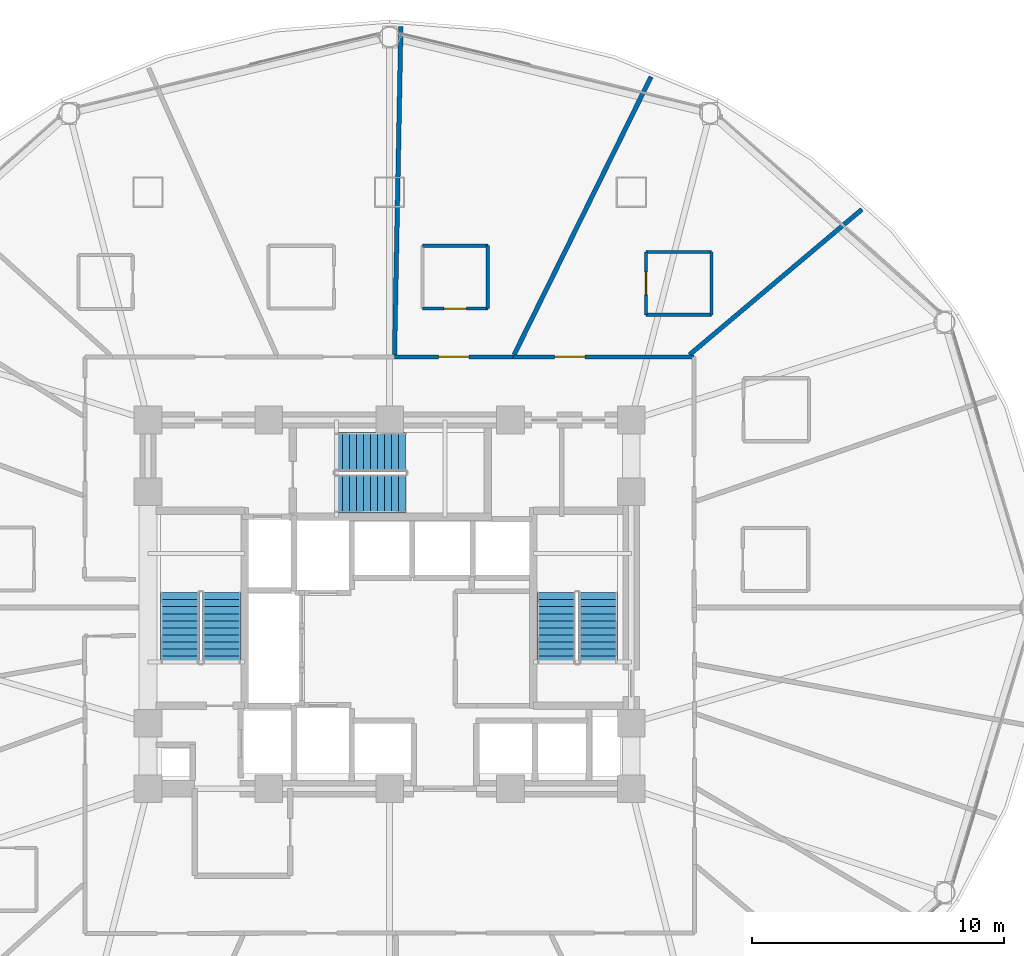
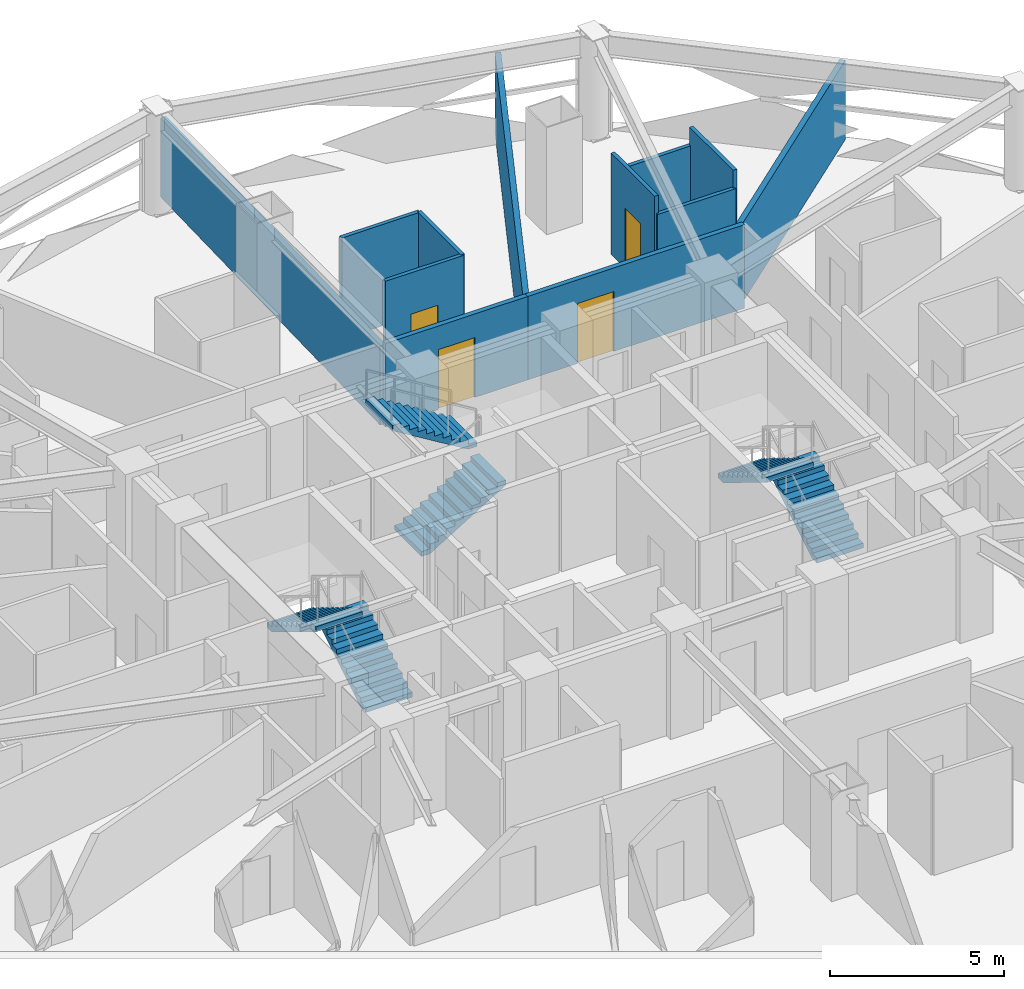
# One storey, part 27 of 31: 12 walls, 6 stair flights, 4 doors, 4 openings, 3 elements without a shape of their own.
"""IFC4 building model written with IfcOpenShell, lengths in metres."""

from ifc_helpers import new_model, si_unit, direction, frame, frame_2d, origin, place, context, subcontext, project, spatial, polyline, rectangle, outline, extrude, material, layer, layer_set, type_object, element, fill, aggregate, save


model = new_model("IFC4")

# Units and contexts
model_context = context("Model", 3, precision=1e-05, world=origin(), true_north=direction((0.0, 1.0)))
body_context = subcontext(model_context, "Body", "Model", "MODEL_VIEW")
ifc_project = project(units=[si_unit("LENGTHUNIT", "METRE"), si_unit("AREAUNIT", "SQUARE_METRE"), si_unit("VOLUMEUNIT", "CUBIC_METRE"), si_unit("PLANEANGLEUNIT", "RADIAN"), si_unit("MASSUNIT", "GRAM", prefix="KILO")], contexts=[model_context])

# Site, building, storey
site_placement = place(None, origin())
site = spatial("IfcSite", under=ifc_project, at=site_placement, CompositionType="ELEMENT")
building_placement = place(site_placement, origin())
building = spatial("IfcBuilding", under=site, at=building_placement, Name="Vantalir Tower", CompositionType="ELEMENT")
storey_placement = place(building_placement, frame((0.0, 0.0, 30.75)))
storey = spatial("IfcBuildingStorey", under=building, at=storey_placement, Name="L06", CompositionType="ELEMENT", Elevation=30.75)

# Walls
ifc_material_1 = material(Name="Moisture-resistant en-suite partition", Category="gypsum")
ifc_layer_1 = layer(ifc_material_1, 0.125)
ifc_layer_set_1 = layer_set([ifc_layer_1], Name="Moisture-resistant en-suite partition")
wall_type_1 = type_object("IfcWallType", Name="WL-BATH-125", PredefinedType="PARTITIONING", material=ifc_layer_set_1)
for number, where, z_axis, x_axis, name in (
    (1, (41.680908203125, 36.62890625, 0.0), (0.0, 0.0, 1.0), (1.0, 0.0, 0.0), "L06 En-suite 03 South Wall"),
    (2, (41.680908203125, 39.12890625, 0.0), (0.0, 0.0, 1.0), (1.0, 0.0, 0.0), "L06 En-suite 03 North Wall"),
):
    element("IfcWall", number, at=place(storey_placement, frame(where, z_axis=z_axis, x_axis=x_axis)), inside=storey, type_object=wall_type_1, Name=name, PredefinedType="PARTITIONING", context=body_context, shape_type="SweptSolid", body=[
        extrude(rectangle(XDim=2.60009765625, YDim=0.125, at=frame_2d((1.300048828125, 0.0))), origin(), (0.0, 0.0, 1.0), 2.927978515625),
    ])

# Wall, opening, door
wall_1_placement = place(storey_placement, frame((41.680908203125, 36.62890625, 0.0), z_axis=(0.0, 0.0, 1.0), x_axis=(0.0, 1.0, 0.0)))
wall_1 = element("IfcWall", 3, at=wall_1_placement, inside=storey, type_object=wall_type_1, Name="L06 En-suite 03 West Wall", PredefinedType="PARTITIONING", context=body_context, shape_type="SweptSolid", body=[
    extrude(rectangle(XDim=2.5, YDim=0.125, at=frame_2d((1.25, 0.0))), origin(), (0.0, 0.0, 1.0), 3.550048828125),
])
opening_1_placement = place(wall_1_placement, frame((0.800048828125, 0.0, 0.0)))
opening_1 = element("IfcOpeningElement", 4, at=opening_1_placement, cuts=wall_1, Name="Opening D-WC", PredefinedType="OPENING", context=body_context, shape_type="SweptSolid", body=[
    extrude(rectangle(XDim=0.89990234375, YDim=2.10009765625, at=frame_2d((0.449951171875, 1.050048828125))), frame((0.0, 0.072509765625, 0.0), z_axis=(0.0, -1.0, 0.0), x_axis=(1.0, 0.0, 0.0)), (0.0, 0.0, 1.0), 0.14501953125),
])
ifc_material_2 = material(Name="Moisture-resistant hardwood door", Category="wood")
door_type_1 = type_object("IfcDoorType", Name="DR-ENSUITE-900", OperationType="NOTDEFINED", PredefinedType="DOOR", material=ifc_material_2)
door_1_placement = place(opening_1_placement, frame((0.89990234375, 0.0, 0.0), z_axis=(0.0, 0.0, 1.0), x_axis=(-1.0, 0.0, 0.0)))
door_1 = element("IfcDoor", 5, at=door_1_placement, inside=storey, type_object=door_type_1, Name="L06 En-suite 03 Door", OperationType="SINGLE_SWING_RIGHT", OverallHeight=2.10009765625, OverallWidth=0.89990234375, PredefinedType="DOOR", context=body_context, shape_type="SweptSolid", body=[
    extrude(rectangle(XDim=0.89990234375, YDim=2.10009765625, at=frame_2d((0.449951171875, 1.050048828125))), frame((0.0, 0.02490234375, 0.0), z_axis=(0.0, -1.0, 0.0), x_axis=(1.0, 0.0, 0.0)), (0.0, 0.0, 1.0), 0.050048828125),
])
fill(opening_1, door_1)

# Wall
wall_2_placement = place(storey_placement, frame((44.281005859375, 36.62890625, 0.0), z_axis=(0.0, 0.0, 1.0), x_axis=(0.0, 1.0, 0.0)))
element("IfcWall", 6, at=wall_2_placement, inside=storey, type_object=wall_type_1, Name="L06 En-suite 03 East Wall", PredefinedType="PARTITIONING", context=body_context, shape_type="SweptSolid", body=[
    extrude(rectangle(XDim=2.5, YDim=0.125, at=frame_2d((1.25, 0.0))), origin(), (0.0, 0.0, 1.0), 3.550048828125),
])

# Wall, opening, door
wall_3_placement = place(storey_placement, frame((32.800048828125, 36.8720703125, 0.0), z_axis=(0.0, 0.0, 1.0), x_axis=(1.0, 0.0, 0.0)))
wall_3 = element("IfcWall", 7, at=wall_3_placement, inside=storey, type_object=wall_type_1, Name="L06 En-suite 04 South Wall", PredefinedType="PARTITIONING", context=body_context, shape_type="SweptSolid", body=[
    extrude(rectangle(XDim=2.599853515625, YDim=0.125, at=frame_2d((1.2998046875, 0.0))), origin(), (0.0, 0.0, 1.0), 3.550048828125),
])
opening_2_placement = place(wall_3_placement, frame((0.85009765625, 0.0, 0.0)))
opening_2 = element("IfcOpeningElement", 8, at=opening_2_placement, cuts=wall_3, Name="Opening D-WC", PredefinedType="OPENING", context=body_context, shape_type="SweptSolid", body=[
    extrude(rectangle(XDim=0.89990234375, YDim=2.10009765625, at=frame_2d((0.449951171875, 1.050048828125))), frame((0.0, 0.072509765625, 0.0), z_axis=(0.0, -1.0, 0.0), x_axis=(1.0, 0.0, 0.0)), (0.0, 0.0, 1.0), 0.14501953125),
])
door_2_placement = place(opening_2_placement, origin())
door_2 = element("IfcDoor", 9, at=door_2_placement, inside=storey, type_object=door_type_1, Name="L06 En-suite 04 Door", OperationType="SINGLE_SWING_LEFT", OverallHeight=2.10009765625, OverallWidth=0.89990234375, PredefinedType="DOOR", context=body_context, shape_type="SweptSolid", body=[
    extrude(rectangle(XDim=0.89990234375, YDim=2.10009765625, at=frame_2d((0.449951171875, 1.050048828125))), frame((0.0, 0.02490234375, 0.0), z_axis=(0.0, -1.0, 0.0), x_axis=(1.0, 0.0, 0.0)), (0.0, 0.0, 1.0), 0.050048828125),
])
fill(opening_2, door_2)

# Walls
wall_4_placement = place(storey_placement, frame((32.800048828125, 39.3720703125, 0.0), z_axis=(0.0, 0.0, 1.0), x_axis=(1.0, 0.0, 0.0)))
element("IfcWall", 10, at=wall_4_placement, inside=storey, type_object=wall_type_1, Name="L06 En-suite 04 North Wall", PredefinedType="PARTITIONING", context=body_context, shape_type="SweptSolid", body=[
    extrude(rectangle(XDim=2.599853515625, YDim=0.125, at=frame_2d((1.2998046875, 0.0))), origin(), (0.0, 0.0, 1.0), 3.550048828125),
])
wall_5_placement = place(storey_placement, frame((35.39990234375, 36.8720703125, 0.0), z_axis=(0.0, 0.0, 1.0), x_axis=(0.0, 1.0, 0.0)))
element("IfcWall", 11, at=wall_5_placement, inside=storey, type_object=wall_type_1, Name="L06 En-suite 04 East Wall", PredefinedType="PARTITIONING", context=body_context, shape_type="SweptSolid", body=[
    extrude(rectangle(XDim=2.5, YDim=0.125, at=frame_2d((1.25, 0.0))), origin(), (0.0, 0.0, 1.0), 3.550048828125),
])

# Wall, opening, door
ifc_material_3 = material(Name="Fire-rated hotel corridor acoustic partition", Category="gypsum")
ifc_layer_2 = layer(ifc_material_3, 0.159912109375)
ifc_layer_set_2 = layer_set([ifc_layer_2], Name="Fire-rated hotel corridor acoustic partition")
wall_type_2 = type_object("IfcWallType", Name="WL-CORR-160", PredefinedType="PARTITIONING", material=ifc_layer_set_2)
wall_6_placement = place(storey_placement, frame((31.69189453125, 34.9599609375, 0.0), z_axis=(0.0, 0.0, 1.0), x_axis=(1.0, 0.0, 0.0)))
wall_6 = element("IfcWall", 12, at=wall_6_placement, inside=storey, type_object=wall_type_2, Name="L06 Corridor Partition 08", PredefinedType="PARTITIONING", context=body_context, shape_type="SweptSolid", body=[
    extrude(rectangle(XDim=4.714111328125, YDim=0.159912109375, at=frame_2d((2.35693359375, 0.0))), origin(), (0.0, 0.0, 1.0), 2.927978515625),
])
opening_3_placement = place(wall_6_placement, frame((1.757080078125, 0.0, 0.0)))
opening_3 = element("IfcOpeningElement", 13, at=opening_3_placement, cuts=wall_6, Name="Opening D-STE", PredefinedType="OPENING", context=body_context, shape_type="SweptSolid", body=[
    extrude(rectangle(XDim=1.199951171875, YDim=2.10009765625, at=frame_2d((0.60009765625, 1.050048828125))), frame((0.0, 0.08984375, 0.0), z_axis=(0.0, -1.0, 0.0), x_axis=(1.0, 0.0, 0.0)), (0.0, 0.0, 1.0), 0.179931640625),
])
ifc_material_4 = material(Name="Solid-core teak veneer suite entrance door", Category="wood")
door_type_2 = type_object("IfcDoorType", Name="DR-SUITE-ENTRY-1200", OperationType="NOTDEFINED", PredefinedType="DOOR", material=ifc_material_4)
door_3_placement = place(opening_3_placement, origin())
door_3 = element("IfcDoor", 14, at=door_3_placement, inside=storey, type_object=door_type_2, Name="L06 Executive Club Hotel Suite 04 Door", OperationType="SINGLE_SWING_RIGHT", OverallHeight=2.10009765625, OverallWidth=1.199951171875, PredefinedType="DOOR", context=body_context, shape_type="SweptSolid", body=[
    extrude(rectangle(XDim=1.199951171875, YDim=2.10009765625, at=frame_2d((0.60009765625, 1.050048828125))), frame((0.0, 0.02490234375, 0.0), z_axis=(0.0, -1.0, 0.0), x_axis=(1.0, 0.0, 0.0)), (0.0, 0.0, 1.0), 0.050048828125),
])
fill(opening_3, door_3)

wall_7_placement = place(storey_placement, frame((36.406005859375, 34.9599609375, 0.0), z_axis=(0.0, 0.0, 1.0), x_axis=(1.0, 0.0, 0.0)))
wall_7 = element("IfcWall", 15, at=wall_7_placement, inside=storey, type_object=wall_type_2, Name="L06 Corridor Partition 09", PredefinedType="PARTITIONING", context=body_context, shape_type="SweptSolid", body=[
    extrude(rectangle(XDim=7.18798828125, YDim=0.159912109375, at=frame_2d((3.593994140625, 0.0))), origin(), (0.0, 0.0, 1.0), 2.927978515625),
])
opening_4_placement = place(wall_7_placement, frame((1.652099609375, 0.0, 0.0)))
opening_4 = element("IfcOpeningElement", 16, at=opening_4_placement, cuts=wall_7, Name="Opening D-STE", PredefinedType="OPENING", context=body_context, shape_type="SweptSolid", body=[
    extrude(rectangle(XDim=1.199951171875, YDim=2.10009765625, at=frame_2d((0.60009765625, 1.050048828125))), frame((0.0, 0.08984375, 0.0), z_axis=(0.0, -1.0, 0.0), x_axis=(1.0, 0.0, 0.0)), (0.0, 0.0, 1.0), 0.179931640625),
])
door_4_placement = place(opening_4_placement, origin())
door_4 = element("IfcDoor", 17, at=door_4_placement, inside=storey, type_object=door_type_2, Name="L06 Corner Panorama Hotel Suite 03 Door", OperationType="SINGLE_SWING_LEFT", OverallHeight=2.10009765625, OverallWidth=1.199951171875, PredefinedType="DOOR", context=body_context, shape_type="SweptSolid", body=[
    extrude(rectangle(XDim=1.199951171875, YDim=2.10009765625, at=frame_2d((0.60009765625, 1.050048828125))), frame((0.0, 0.02490234375, 0.0), z_axis=(0.0, -1.0, 0.0), x_axis=(1.0, 0.0, 0.0)), (0.0, 0.0, 1.0), 0.050048828125),
])
fill(opening_4, door_4)

# Walls
ifc_material_5 = material(Name="Twin-stud acoustic fire-rated gypsum partition", Category="gypsum")
ifc_layer_3 = layer(ifc_material_5, 0.179931640625)
ifc_layer_set_3 = layer_set([ifc_layer_3], Name="Twin-stud acoustic fire-rated gypsum partition")
wall_type_3 = type_object("IfcWallType", Name="WL-GUEST-180", PredefinedType="PARTITIONING", material=ifc_layer_set_3)
wall_8_placement = place(storey_placement, frame((43.410888671875, 35.0400390625, 0.0), z_axis=(0.0, 0.0, 1.0), x_axis=(0.764587593567, 0.644519830388, 0.0)))
element("IfcWall", 18, at=wall_8_placement, inside=storey, type_object=wall_type_3, Name="L06 Radial Suite Partition 03", PredefinedType="PARTITIONING", context=body_context, shape_type="SweptSolid", body=[
    extrude(rectangle(XDim=8.963134765625, YDim=0.179931640625, at=frame_2d((4.4814453125, 0.0))), origin(), (0.0, 0.0, 1.0), 2.77490234375),
])
wall_9_placement = place(storey_placement, frame((36.445068359375, 35.0400390625, 0.0), z_axis=(0.0, 0.0, 1.0), x_axis=(0.441843629781, 0.897092083803, 0.0)))
element("IfcWall", 19, at=wall_9_placement, inside=storey, type_object=wall_type_3, Name="L06 Radial Suite Partition 04", PredefinedType="PARTITIONING", context=body_context, shape_type="SweptSolid", body=[
    extrude(rectangle(XDim=12.31201171875, YDim=0.179931640625, at=frame_2d((6.156005859375, 0.0))), origin(), (0.0, 0.0, 1.0), 2.77490234375),
])
wall_10_placement = place(storey_placement, frame((31.694091796875, 35.0400390625, 0.0), z_axis=(0.0, 0.0, 1.0), x_axis=(0.019319341517, 0.999813364105, 0.0)))
element("IfcWall", 20, at=wall_10_placement, inside=storey, type_object=wall_type_3, Name="L06 Radial Suite Partition 05", PredefinedType="PARTITIONING", context=body_context, shape_type="SweptSolid", body=[
    extrude(rectangle(XDim=13.04150390625, YDim=0.179931640625, at=frame_2d((6.520751953125, 0.0))), origin(), (0.0, 0.0, 1.0), 2.77490234375),
])

# Stair, stair flights
ifc_material_6 = material(Name="Concrete C40/50", Category="concrete")
stair_type = type_object("IfcStairType", Name="STR-CORE-1450", PredefinedType="HALF_TURN_STAIR", material=ifc_material_6)
stair_1_placement = place(storey_placement, origin())
stair_1 = element("IfcStair", 21, at=stair_1_placement, inside=storey, type_object=stair_type, Name="L06 Core Exit Stair 1", PredefinedType="HALF_TURN_STAIR")
stair_flight_type = type_object("IfcStairFlightType", Name="FLT-CORE-1450", PredefinedType="STRAIGHT", material=ifc_material_6)
stair_flight_1_placement = place(storey_placement, frame((24.830078125, 22.7900390625, 0.0), z_axis=(0.0, 0.0, 1.0), x_axis=(0.0, 1.0, 0.0)))
stair_flight_1 = element("IfcStairFlight", 22, at=stair_flight_1_placement, type_object=stair_flight_type, Name="ST1 flight 1", NumberOfRisers=11, NumberOfTreads=10, PredefinedType="STRAIGHT", RiserHeight=0.170454545, TreadLength=0.28, context=body_context, shape_type="SweptSolid", body=[
    extrude(outline(polyline([(0.0, 0.0), (0.0, 0.17041015625), (0.280029296875, 0.17041015625), (0.280029296875, 0.3408203125), (0.56005859375, 0.3408203125), (0.56005859375, 0.511474609375), (0.840087890625, 0.511474609375), (0.840087890625, 0.681884765625), (1.1201171875, 0.681884765625), (1.1201171875, 0.852294921875), (1.39990234375, 0.852294921875), (1.39990234375, 1.022705078125), (1.679931640625, 1.022705078125), (1.679931640625, 1.193115234375), (1.9599609375, 1.193115234375), (1.9599609375, 1.363525390625), (2.239990234375, 1.363525390625), (2.239990234375, 1.5341796875), (2.52001953125, 1.5341796875), (2.52001953125, 1.70458984375), (2.800048828125, 1.70458984375), (2.800048828125, 1.875), (2.800048828125, 1.529052734375), (0.288330078125, 0.0), (0.0, 0.0)])), frame((0.0, 0.77001953125, 0.0), z_axis=(0.0, -1.0, 0.0), x_axis=(1.0, 0.0, 0.0)), (0.0, 0.0, 1.0), 1.5400390625),
])
stair_flight_2_placement = place(storey_placement, frame((23.169921875, 25.590087890625, 1.875), z_axis=(0.0, 0.0, 1.0), x_axis=(0.0, -1.0, 0.0)))
stair_flight_2 = element("IfcStairFlight", 23, at=stair_flight_2_placement, type_object=stair_flight_type, Name="ST1 flight 2", NumberOfRisers=11, NumberOfTreads=10, PredefinedType="STRAIGHT", RiserHeight=0.170454545, TreadLength=0.28, context=body_context, shape_type="SweptSolid", body=[
    extrude(outline(polyline([(0.0, 0.0), (0.0, 0.17041015625), (0.280029296875, 0.17041015625), (0.280029296875, 0.3408203125), (0.56005859375, 0.3408203125), (0.56005859375, 0.511474609375), (0.840087890625, 0.511474609375), (0.840087890625, 0.681884765625), (1.1201171875, 0.681884765625), (1.1201171875, 0.852294921875), (1.39990234375, 0.852294921875), (1.39990234375, 1.022705078125), (1.679931640625, 1.022705078125), (1.679931640625, 1.193115234375), (1.9599609375, 1.193115234375), (1.9599609375, 1.363525390625), (2.239990234375, 1.363525390625), (2.239990234375, 1.5341796875), (2.52001953125, 1.5341796875), (2.52001953125, 1.70458984375), (2.800048828125, 1.70458984375), (2.800048828125, 1.875), (2.800048828125, 1.529052734375), (0.288330078125, 0.0), (0.0, 0.0)])), frame((0.0, 0.77001953125, 0.0), z_axis=(0.0, -1.0, 0.0), x_axis=(1.0, 0.0, 0.0)), (0.0, 0.0, 1.0), 1.5400390625),
])
aggregate(stair_1, [stair_flight_1, stair_flight_2])

stair_2_placement = place(storey_placement, origin())
stair_2 = element("IfcStair", 24, at=stair_2_placement, inside=storey, type_object=stair_type, Name="L06 Core Exit Stair 2", PredefinedType="HALF_TURN_STAIR")
stair_flight_3_placement = place(storey_placement, frame((39.780029296875, 22.7900390625, 0.0), z_axis=(0.0, 0.0, 1.0), x_axis=(0.0, 1.0, 0.0)))
stair_flight_3 = element("IfcStairFlight", 25, at=stair_flight_3_placement, type_object=stair_flight_type, Name="ST2 flight 1", NumberOfRisers=11, NumberOfTreads=10, PredefinedType="STRAIGHT", RiserHeight=0.170454545, TreadLength=0.28, context=body_context, shape_type="SweptSolid", body=[
    extrude(outline(polyline([(0.0, 0.0), (0.0, 0.17041015625), (0.280029296875, 0.17041015625), (0.280029296875, 0.3408203125), (0.56005859375, 0.3408203125), (0.56005859375, 0.511474609375), (0.840087890625, 0.511474609375), (0.840087890625, 0.681884765625), (1.1201171875, 0.681884765625), (1.1201171875, 0.852294921875), (1.39990234375, 0.852294921875), (1.39990234375, 1.022705078125), (1.679931640625, 1.022705078125), (1.679931640625, 1.193115234375), (1.9599609375, 1.193115234375), (1.9599609375, 1.363525390625), (2.239990234375, 1.363525390625), (2.239990234375, 1.5341796875), (2.52001953125, 1.5341796875), (2.52001953125, 1.70458984375), (2.800048828125, 1.70458984375), (2.800048828125, 1.875), (2.800048828125, 1.529052734375), (0.288330078125, 0.0), (0.0, 0.0)])), frame((0.0, 0.77001953125, 0.0), z_axis=(0.0, -1.0, 0.0), x_axis=(1.0, 0.0, 0.0)), (0.0, 0.0, 1.0), 1.5400390625),
])
stair_flight_4_placement = place(storey_placement, frame((38.1201171875, 25.590087890625, 1.875), z_axis=(0.0, 0.0, 1.0), x_axis=(0.0, -1.0, 0.0)))
stair_flight_4 = element("IfcStairFlight", 26, at=stair_flight_4_placement, type_object=stair_flight_type, Name="ST2 flight 2", NumberOfRisers=11, NumberOfTreads=10, PredefinedType="STRAIGHT", RiserHeight=0.170454545, TreadLength=0.28, context=body_context, shape_type="SweptSolid", body=[
    extrude(outline(polyline([(0.0, 0.0), (0.0, 0.17041015625), (0.280029296875, 0.17041015625), (0.280029296875, 0.3408203125), (0.56005859375, 0.3408203125), (0.56005859375, 0.511474609375), (0.840087890625, 0.511474609375), (0.840087890625, 0.681884765625), (1.1201171875, 0.681884765625), (1.1201171875, 0.852294921875), (1.39990234375, 0.852294921875), (1.39990234375, 1.022705078125), (1.679931640625, 1.022705078125), (1.679931640625, 1.193115234375), (1.9599609375, 1.193115234375), (1.9599609375, 1.363525390625), (2.239990234375, 1.363525390625), (2.239990234375, 1.5341796875), (2.52001953125, 1.5341796875), (2.52001953125, 1.70458984375), (2.800048828125, 1.70458984375), (2.800048828125, 1.875), (2.800048828125, 1.529052734375), (0.288330078125, 0.0), (0.0, 0.0)])), frame((0.0, 0.77001953125, 0.0), z_axis=(0.0, -1.0, 0.0), x_axis=(1.0, 0.0, 0.0)), (0.0, 0.0, 1.0), 1.5400390625),
])
aggregate(stair_2, [stair_flight_3, stair_flight_4])

stair_3_placement = place(storey_placement, origin())
stair_3 = element("IfcStair", 27, at=stair_3_placement, inside=storey, type_object=stair_type, Name="L06 Core Exit Stair 3", PredefinedType="HALF_TURN_STAIR")
stair_flight_5_placement = place(storey_placement, frame((29.340087890625, 29.52001953125, 0.0), z_axis=(0.0, 0.0, 1.0), x_axis=(1.0, 0.0, 0.0)))
stair_flight_5 = element("IfcStairFlight", 28, at=stair_flight_5_placement, type_object=stair_flight_type, Name="ST3 flight 1", NumberOfRisers=11, NumberOfTreads=10, PredefinedType="STRAIGHT", RiserHeight=0.170454545, TreadLength=0.28, context=body_context, shape_type="SweptSolid", body=[
    extrude(outline(polyline([(0.0, 0.0), (0.0, 0.17041015625), (0.280029296875, 0.17041015625), (0.280029296875, 0.3408203125), (0.56005859375, 0.3408203125), (0.56005859375, 0.511474609375), (0.840087890625, 0.511474609375), (0.840087890625, 0.681884765625), (1.1201171875, 0.681884765625), (1.1201171875, 0.852294921875), (1.39990234375, 0.852294921875), (1.39990234375, 1.022705078125), (1.679931640625, 1.022705078125), (1.679931640625, 1.193115234375), (1.9599609375, 1.193115234375), (1.9599609375, 1.363525390625), (2.239990234375, 1.363525390625), (2.239990234375, 1.5341796875), (2.52001953125, 1.5341796875), (2.52001953125, 1.70458984375), (2.800048828125, 1.70458984375), (2.800048828125, 1.875), (2.800048828125, 1.529052734375), (0.288330078125, 0.0), (0.0, 0.0)])), frame((0.0, 0.77001953125, 0.0), z_axis=(0.0, -1.0, 0.0), x_axis=(1.0, 0.0, 0.0)), (0.0, 0.0, 1.0), 1.5400390625),
])
stair_flight_6_placement = place(storey_placement, frame((32.139892578125, 31.179931640625, 1.875), z_axis=(0.0, 0.0, 1.0), x_axis=(-1.0, 0.0, 0.0)))
stair_flight_6 = element("IfcStairFlight", 29, at=stair_flight_6_placement, type_object=stair_flight_type, Name="ST3 flight 2", NumberOfRisers=11, NumberOfTreads=10, PredefinedType="STRAIGHT", RiserHeight=0.170454545, TreadLength=0.28, context=body_context, shape_type="SweptSolid", body=[
    extrude(outline(polyline([(0.0, 0.0), (0.0, 0.17041015625), (0.280029296875, 0.17041015625), (0.280029296875, 0.3408203125), (0.56005859375, 0.3408203125), (0.56005859375, 0.511474609375), (0.840087890625, 0.511474609375), (0.840087890625, 0.681884765625), (1.1201171875, 0.681884765625), (1.1201171875, 0.852294921875), (1.39990234375, 0.852294921875), (1.39990234375, 1.022705078125), (1.679931640625, 1.022705078125), (1.679931640625, 1.193115234375), (1.9599609375, 1.193115234375), (1.9599609375, 1.363525390625), (2.239990234375, 1.363525390625), (2.239990234375, 1.5341796875), (2.52001953125, 1.5341796875), (2.52001953125, 1.70458984375), (2.800048828125, 1.70458984375), (2.800048828125, 1.875), (2.800048828125, 1.529052734375), (0.288330078125, 0.0), (0.0, 0.0)])), frame((0.0, 0.77001953125, 0.0), z_axis=(0.0, -1.0, 0.0), x_axis=(1.0, 0.0, 0.0)), (0.0, 0.0, 1.0), 1.5400390625),
])
aggregate(stair_3, [stair_flight_5, stair_flight_6])

save(model, "model.ifc")
